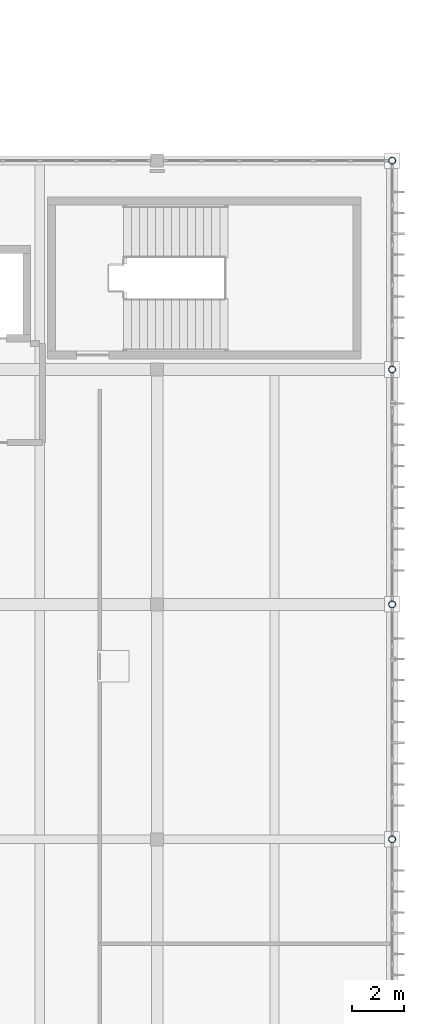
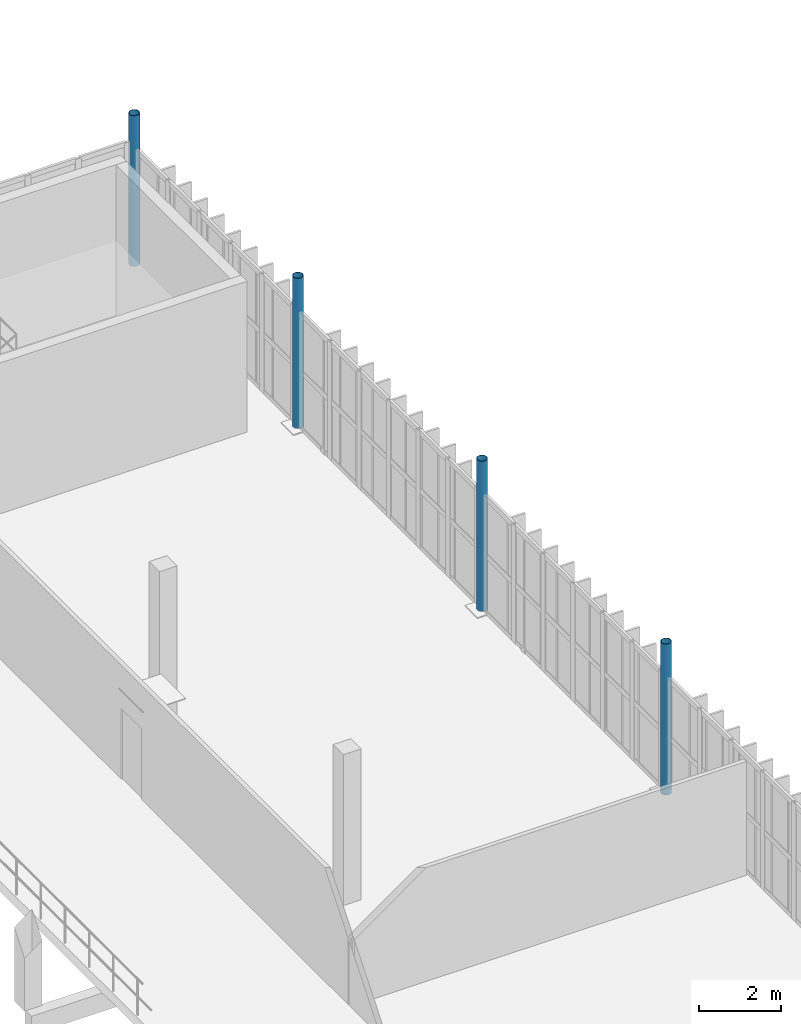
# One storey, part 6 of 81: 4 columns.
"""IFC4 building model written with IfcOpenShell, lengths in metres."""

from ifc_helpers import new_model, si_unit, direction, frame, origin, origin_2d, place, context, subcontext, project, spatial, hollow_circle, extrude, material, material_profile, profile_set, type_object, element, save


model = new_model("IFC4")

# Units and contexts
model_context = context("Model", 3, precision=1e-05, world=origin(), true_north=direction((0.0, 1.0)))
body_context = subcontext(model_context, "Body", "Model", "MODEL_VIEW")
ifc_project = project(units=[si_unit("LENGTHUNIT", "METRE"), si_unit("AREAUNIT", "SQUARE_METRE"), si_unit("VOLUMEUNIT", "CUBIC_METRE"), si_unit("PLANEANGLEUNIT", "RADIAN"), si_unit("MASSUNIT", "GRAM", prefix="KILO")], contexts=[model_context])

# Site, building, storey
site_placement = place(None, origin())
site = spatial("IfcSite", under=ifc_project, at=site_placement, CompositionType="ELEMENT")
building_placement = place(site_placement, origin())
building = spatial("IfcBuilding", under=site, at=building_placement, Name="Vourika Railside Aquatics Centre", CompositionType="ELEMENT")
storey_placement = place(building_placement, frame((0.0, 0.0, 4.800048828125)))
storey = spatial("IfcBuildingStorey", under=building, at=storey_placement, Name="L01", CompositionType="ELEMENT", Elevation=4.800048828125)

# Columns
ifc_material = material(Name="Steel S355J2", Category="steel")
ifc_material_profile = material_profile(ifc_material, hollow_circle(Radius=0.136474609375, WallThickness=0.012451171875, at=origin_2d()), Name="CHS 273x12.5")
ifc_profile_set = profile_set([ifc_material_profile], Name="Steel S355J2")
column_type = type_object("IfcColumnType", Name="COL-STL-CHS273", PredefinedType="COLUMN", material=ifc_profile_set)
for number, where, z_axis, x_axis, name in (
    (1, (168.0, 66.0, 0.0), (0.0, 0.0, 1.0), (1.0, 0.0, 0.0), "Column col:L01:1680_660"),
    (2, (168.0, 75.0, 0.0), (0.0, 0.0, 1.0), (1.0, 0.0, 0.0), "Column col:L01:1680_750"),
    (3, (168.0, 84.0, 0.0), (0.0, 0.0, 1.0), (1.0, 0.0, 0.0), "Column col:L01:1680_840"),
    (4, (168.0, 92.0, 0.0), (0.0, 0.0, 1.0), (1.0, 0.0, 0.0), "Column col:L01:1680_920"),
):
    element("IfcColumn", number, at=place(storey_placement, frame(where, z_axis=z_axis, x_axis=x_axis)), inside=storey, type_object=column_type, Name=name, PredefinedType="COLUMN", context=body_context, shape_type="SweptSolid", body=[
        extrude(hollow_circle(Radius=0.136474609375, WallThickness=0.012451171875, at=origin_2d()), origin(), (0.0, 0.0, 1.0), 4.5),
    ])

save(model, "model.ifc")
